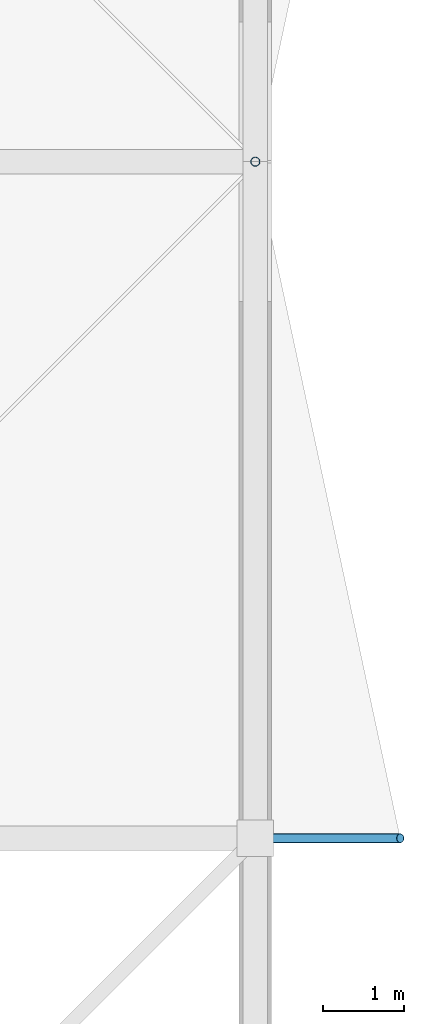
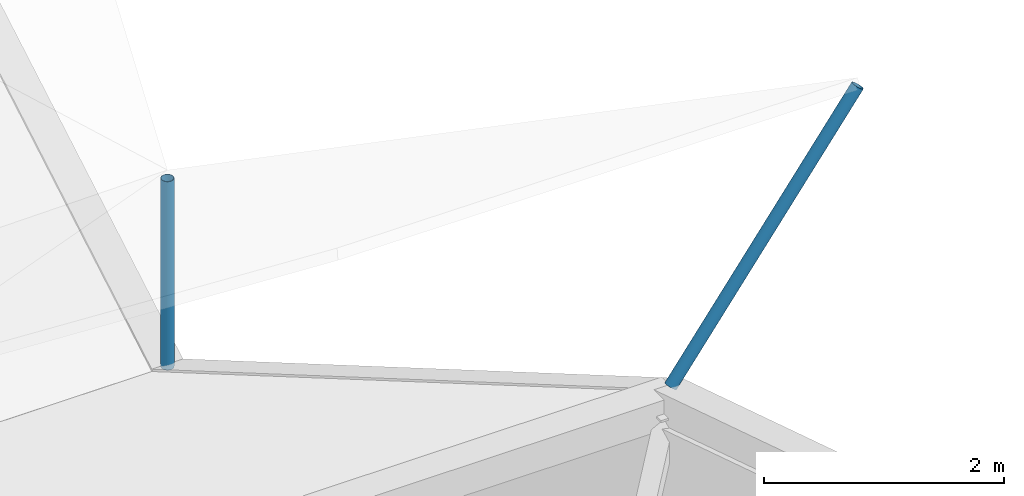
# One storey, part 84 of 111: 2 discrete accessories.
"""IFC4 building model written with IfcOpenShell, lengths in metres."""

import ifcopenshell
import ifcopenshell.guid

model = None  # the IFC model being written
_history = None  # IfcOwnerHistory: only IFC2X3 demands one
_inside = {}  # id of a spatial element -> (the spatial element, [elements in it])
_under = {}  # id of a project, library or spatial element -> (it, [spatial elements below it])
_declared = {}  # id of a project -> (the project, [libraries it declares])
_typed = {}  # id of a type object -> (the type object, [elements of that type])
_made_of = {}  # id of a material, layer set ... -> (it, [elements and type objects made of it])


def new_model(schema):
    """Start an empty IFC model of exactly this schema.

    Asked for "IFC4X3", IfcOpenShell would pick the latest addendum, in which some entities
    have other attributes; the version numbers below select the first issue.
    IFC2X3 requires an IfcOwnerHistory on every rooted entity: one is made here for all.
    """
    global model, _history
    if schema == "IFC4X3":
        model = ifcopenshell.file(schema_version=(4, 3, 0, 0))
    else:
        model = ifcopenshell.file(schema=schema)
    _inside.clear()
    _under.clear()
    _declared.clear()
    _typed.clear()
    _made_of.clear()
    _history = None
    if model.schema == "IFC2X3":
        org = make("IfcOrganization", Name="unknown")
        user = make(
            "IfcPersonAndOrganization",
            ThePerson=make("IfcPerson", FamilyName="unknown"),
            TheOrganization=org,
        )
        app = make(
            "IfcApplication",
            ApplicationDeveloper=org,
            Version="unknown",
            ApplicationFullName="unknown",
            ApplicationIdentifier="unknown",
        )
        _history = make(
            "IfcOwnerHistory",
            OwningUser=user,
            OwningApplication=app,
            ChangeAction="ADDED",
            CreationDate=0,
        )
    return model


def make(cls, **values):
    """One entity of the class cls with the attributes given. An attribute that is None is left unset."""
    return model.create_entity(
        cls, **{name: value for name, value in values.items() if value is not None}
    )


def rooted(cls, **values):
    """An entity with a GlobalId (a new one), such as an element, a storey or a relation."""
    return make(cls, GlobalId=ifcopenshell.guid.new(), OwnerHistory=_history, **values)


def si_unit(unit_type, name, prefix=None):
    """IfcSIUnit, for example si_unit("LENGTHUNIT", "METRE", prefix="MILLI")."""
    return make("IfcSIUnit", UnitType=unit_type, Prefix=prefix, Name=name)


def assignment(units):
    """IfcUnitAssignment: the units of a project."""
    return None if units is None else make("IfcUnitAssignment", Units=units)


def point(xyz):
    """IfcCartesianPoint."""
    return None if xyz is None else make("IfcCartesianPoint", Coordinates=xyz)


def direction(xyz):
    """IfcDirection."""
    return None if xyz is None else make("IfcDirection", DirectionRatios=xyz)


def frame(location, z_axis=None, x_axis=None):
    """IfcAxis2Placement3D, a coordinate frame: its origin and axes. An axis left out is left unset."""
    return make(
        "IfcAxis2Placement3D",
        Location=point(location),
        Axis=direction(z_axis),
        RefDirection=direction(x_axis),
    )


def frame_2d(location, x_axis=None):
    """IfcAxis2Placement2D, a coordinate frame in the plane: its origin and x axis."""
    return make(
        "IfcAxis2Placement2D", Location=point(location), RefDirection=direction(x_axis)
    )


def origin():
    """The frame at (0, 0, 0) with its axes left unset."""
    return frame((0.0, 0.0, 0.0))


def origin_2d():
    """The frame at (0, 0) in the plane with its x axis left unset."""
    return frame_2d((0.0, 0.0))


def place(relative_to, where):
    """IfcLocalPlacement: puts the frame where relative to a parent placement (None: the world)."""
    return make(
        "IfcLocalPlacement", PlacementRelTo=relative_to, RelativePlacement=where
    )


def context(
    kind, dimensions, precision=None, world=None, true_north=None, identifier=None
):
    """IfcGeometricRepresentationContext, for example the 3D "Model" context."""
    return make(
        "IfcGeometricRepresentationContext",
        ContextIdentifier=identifier,
        ContextType=kind,
        CoordinateSpaceDimension=dimensions,
        Precision=precision,
        WorldCoordinateSystem=world,
        TrueNorth=true_north,
    )


def subcontext(parent, identifier, kind, view, scale=None):
    """IfcGeometricRepresentationSubContext, for example "Body" below "Model"."""
    return make(
        "IfcGeometricRepresentationSubContext",
        ContextIdentifier=identifier,
        ContextType=kind,
        ParentContext=parent,
        TargetScale=scale,
        TargetView=view,
    )


def project(units=None, contexts=None):
    """IfcProject with its units and contexts."""
    return rooted(
        "IfcProject",
        Name="project",
        RepresentationContexts=contexts,
        UnitsInContext=assignment(units),
    )


def spatial(cls, under=None, at=None, **own):
    """A site, building, storey or space (cls), placed at a placement, below another one or the project."""
    s = rooted(cls, ObjectPlacement=at, **own)
    if under is not None:
        _under.setdefault(under.id(), (under, []))[1].append(s)
    return s


def profile(cls, at=None, kind="AREA", **sizes):
    """A parametric profile (cls). Its sizes go by their IFC names, for example OverallWidth=200.0."""
    return make(cls, ProfileType=kind, Position=at, **sizes)


def hollow_circle(**sizes):
    """IfcCircleHollowProfileDef."""
    return profile("IfcCircleHollowProfileDef", **sizes)


def extrude(swept, where, along, depth):
    """IfcExtrudedAreaSolid: the profile swept, set in the frame where, extruded along a direction by depth."""
    return make(
        "IfcExtrudedAreaSolid",
        SweptArea=swept,
        Position=where,
        ExtrudedDirection=direction(along),
        Depth=depth,
    )


def shape(context_of_items, identifier, shape_type, items):
    """IfcShapeRepresentation: the items that make up one representation, for example the "Body"."""
    return make(
        "IfcShapeRepresentation",
        ContextOfItems=context_of_items,
        RepresentationIdentifier=identifier,
        RepresentationType=shape_type,
        Items=items,
    )


def material(Name=None, Category=None):
    """IfcMaterial."""
    return make("IfcMaterial", Name=Name, Category=Category)


def material_profile(
    of_material, cross_section, Name=None, Category=None, Priority=None
):
    """IfcMaterialProfile: a cross section and its material."""
    return make(
        "IfcMaterialProfile",
        Name=Name,
        Material=of_material,
        Profile=cross_section,
        Priority=Priority,
        Category=Category,
    )


def profile_set(profiles, Name=None, composite=None):
    """IfcMaterialProfileSet."""
    return make(
        "IfcMaterialProfileSet",
        Name=Name,
        MaterialProfiles=profiles,
        CompositeProfile=composite,
    )


def made_of(thing, what):
    """Note that an element or type object is made of a material, layer set ...; save() writes the relation."""
    if what is not None:
        _made_of.setdefault(what.id(), (what, []))[1].append(thing)
    return thing


def type_object(cls, material=None, **own):
    """A type object (cls), such as IfcWallType, which elements share."""
    return made_of(rooted(cls, **own), material)


def element(
    cls,
    number,
    at=None,
    inside=None,
    cuts=None,
    type_object=None,
    material=None,
    context=None,
    identifier="Body",
    shape_type=None,
    held_by="IfcProductDefinitionShape",
    body=None,
    shapes=None,
    **own,
):
    """One element of the class cls, such as IfcWall. Its Tag is "e" and its number.

    at: its placement. inside: the storey or other place that contains it. cuts: it is an
    opening in that element (IfcRelVoidsElement). A single representation is given by context,
    identifier, shape_type and body (its items); several are given by shapes. held_by: the class
    of the entity that holds the representations. save() writes the other relations.
    """
    e = rooted(cls, Tag="e%d" % number, ObjectPlacement=at, **own)
    if body is not None:
        shapes = [shape(context, identifier, shape_type, body)]
    if shapes is not None:
        e.Representation = make(held_by, Representations=shapes)
    if inside is not None:
        _inside.setdefault(inside.id(), (inside, []))[1].append(e)
    if cuts is not None:
        rooted(
            "IfcRelVoidsElement", RelatingBuildingElement=cuts, RelatedOpeningElement=e
        )
    if type_object is not None:
        _typed.setdefault(type_object.id(), (type_object, []))[1].append(e)
    return made_of(e, material)


def aggregate(whole, parts):
    """IfcRelAggregates: a whole, such as a stair, and the parts it consists of."""
    return rooted("IfcRelAggregates", RelatingObject=whole, RelatedObjects=parts)


def save(model, path):
    """Write the relations noted so far, then the file.

    IfcRelAggregates (storeys below a building ...), IfcRelContainedInSpatialStructure (elements
    in a storey), IfcRelDefinesByType, IfcRelAssociatesMaterial and IfcRelDeclares: one each for
    every whole, place, type object, material and project.
    """
    for whole, parts in _under.values():
        aggregate(whole, parts)
    for where, things in _inside.values():
        rooted(
            "IfcRelContainedInSpatialStructure",
            RelatedElements=things,
            RelatingStructure=where,
        )
    for kind, things in _typed.values():
        rooted("IfcRelDefinesByType", RelatedObjects=things, RelatingType=kind)
    for what, things in _made_of.values():
        rooted("IfcRelAssociatesMaterial", RelatedObjects=things, RelatingMaterial=what)
    for by, libraries in _declared.values():
        rooted("IfcRelDeclares", RelatingContext=by, RelatedDefinitions=libraries)
    model.write(path)


model = new_model("IFC4")

# Units and contexts
model_context = context("Model", 3, precision=1e-05, world=origin(), true_north=direction((0.0, 1.0)))
body_context = subcontext(model_context, "Body", "Model", "MODEL_VIEW")
ifc_project = project(units=[si_unit("LENGTHUNIT", "METRE"), si_unit("AREAUNIT", "SQUARE_METRE"), si_unit("VOLUMEUNIT", "CUBIC_METRE"), si_unit("PLANEANGLEUNIT", "RADIAN"), si_unit("MASSUNIT", "GRAM", prefix="KILO")], contexts=[model_context])

# Site, building, storey
site_placement = place(None, origin())
site = spatial("IfcSite", under=ifc_project, at=site_placement, CompositionType="ELEMENT")
building_placement = place(site_placement, origin())
building = spatial("IfcBuilding", under=site, at=building_placement, Name="Rain Tree Exposition and Congress Centre", CompositionType="ELEMENT")
storey_placement = place(building_placement, frame((0.0, 0.0, 19.5)))
storey = spatial("IfcBuildingStorey", under=building, at=storey_placement, Name="RF", CompositionType="ELEMENT", Elevation=19.5)

# Discrete accessories
ifc_material = material(Name="Steel S355J2H", Category="steel")
ifc_material_profile = material_profile(ifc_material, hollow_circle(Radius=0.05712890625, WallThickness=0.00439453125, at=origin_2d()), Name="CHS 114x4.5")
ifc_profile_set = profile_set([ifc_material_profile], Name="Steel S355J2H")
discrete_accessory_type = type_object("IfcDiscreteAccessoryType", Name="Roof skin post CHS 114x4.5", PredefinedType="BRACKET", material=ifc_profile_set)
discrete_accessory_1_placement = place(storey_placement, frame((243.60009765625, 142.800048828125, 5.39404296875), z_axis=(0.595042222811, 0.0, 0.803694440115), x_axis=(0.0, 1.0, 0.0)))
element("IfcDiscreteAccessory", 1, at=discrete_accessory_1_placement, inside=storey, type_object=discrete_accessory_type, Name="Roof skin post B78", PredefinedType="BRACKET", context=body_context, shape_type="SweptSolid", body=[
    extrude(hollow_circle(Radius=0.05712890625, WallThickness=0.00439453125, at=origin_2d()), origin(), (0.0, 0.0, 1.0), 3.024658203125),
])
discrete_accessory_2_placement = place(storey_placement, frame((243.60009765625, 151.199951171875, 0.5), z_axis=(0.0, 0.0, 1.0), x_axis=(1.0, 0.0, 0.0)))
element("IfcDiscreteAccessory", 2, at=discrete_accessory_2_placement, inside=storey, type_object=discrete_accessory_type, Name="Roof skin post B91", PredefinedType="BRACKET", context=body_context, shape_type="SweptSolid", body=[
    extrude(hollow_circle(Radius=0.05712890625, WallThickness=0.00439453125, at=origin_2d()), origin(), (0.0, 0.0, 1.0), 1.919921875),
])

save(model, "model.ifc")
